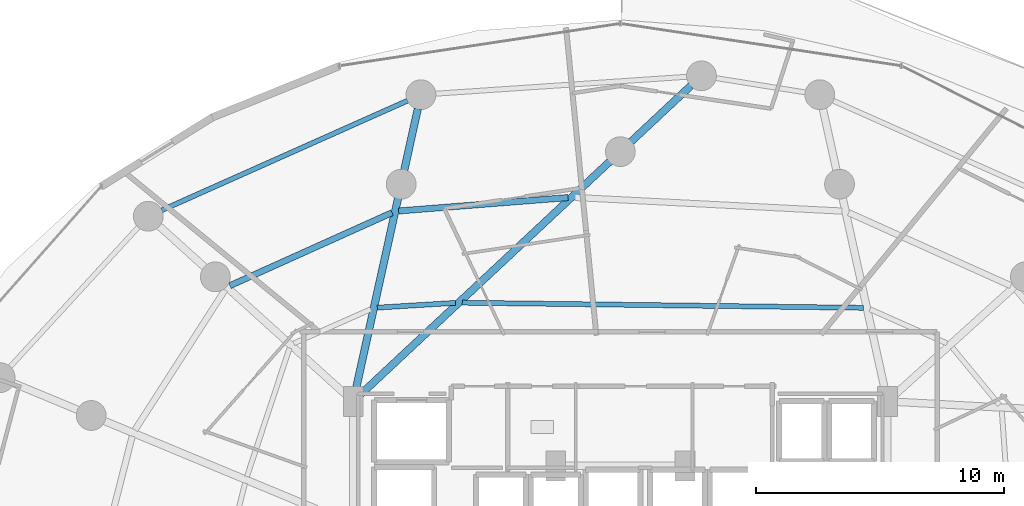
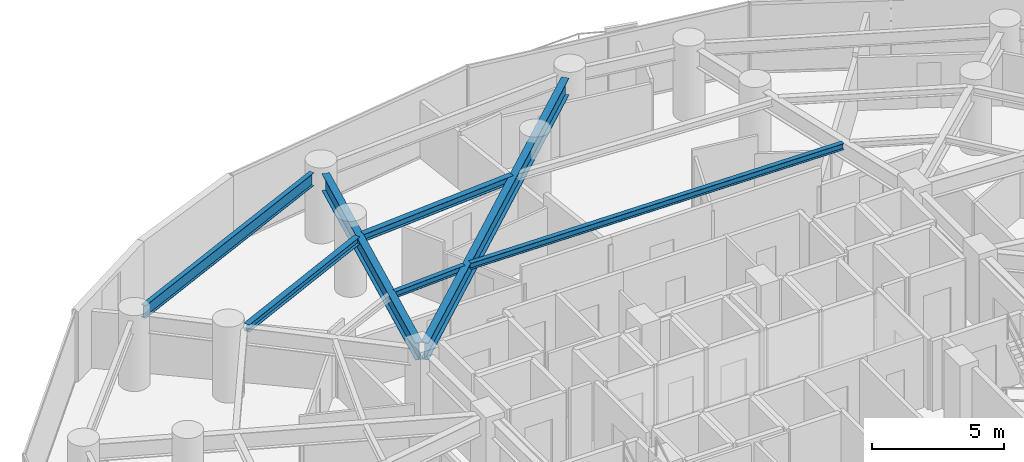
# One storey, part 17 of 30: 7 beams.
"""IFC4 building model written with IfcOpenShell, lengths in metres."""

from ifc_helpers import new_model, si_unit, direction, frame, origin, origin_2d, place, context, subcontext, project, spatial, i_section, extrude, material, material_profile, profile_set, type_object, element, save


model = new_model("IFC4")

# Units and contexts
model_context = context("Model", 3, precision=1e-05, world=origin(), true_north=direction((0.0, 1.0)))
body_context = subcontext(model_context, "Body", "Model", "MODEL_VIEW")
ifc_project = project(units=[si_unit("LENGTHUNIT", "METRE"), si_unit("AREAUNIT", "SQUARE_METRE"), si_unit("VOLUMEUNIT", "CUBIC_METRE"), si_unit("PLANEANGLEUNIT", "RADIAN"), si_unit("MASSUNIT", "GRAM", prefix="KILO")], contexts=[model_context])

# Site, building, storey
site_placement = place(None, origin())
site = spatial("IfcSite", under=ifc_project, at=site_placement, CompositionType="ELEMENT")
building_placement = place(site_placement, origin())
building = spatial("IfcBuilding", under=site, at=building_placement, Name="Vorneva Point Tower", CompositionType="ELEMENT")
storey_placement = place(building_placement, frame((0.0, 0.0, 55.5)))
storey = spatial("IfcBuildingStorey", under=building, at=storey_placement, Name="L14", CompositionType="ELEMENT", Elevation=55.5)

# Beams
ifc_material = material(Name="Steel S355", Category="steel")
ifc_material_profile_1 = material_profile(ifc_material, i_section(OverallWidth=0.300048828125, OverallDepth=0.7880859375, WebThickness=0.014404296875, FlangeThickness=0.02197265625, at=origin_2d()), Name="80Sh1")
ifc_profile_set_1 = profile_set([ifc_material_profile_1], Name="Steel S355")
beam_type_1 = type_object("IfcBeamType", Name="BM-GRD-80Sh1", PredefinedType="USERDEFINED", material=ifc_profile_set_1)
beam_1_placement = place(storey_placement, frame((40.835693359375, 45.850830078125, 2.845947265625), z_axis=(-0.730494745314, -0.682918316542, 0.0), x_axis=(0.682918316542, -0.730494745314, 0.0)))
element("IfcBeam", 1, at=beam_1_placement, inside=storey, type_object=beam_type_1, Name="L14 Radial Primary Girder 05", ObjectType="GIRDER", PredefinedType="USERDEFINED", context=body_context, shape_type="SweptSolid", body=[
    extrude(i_section(OverallWidth=0.300048828125, OverallDepth=0.7880859375, WebThickness=0.014404296875, FlangeThickness=0.02197265625, at=origin_2d()), origin(), (0.0, 0.0, 1.0), 18.258056640625),
])
beam_2_placement = place(storey_placement, frame((29.84716796875, 44.91748046875, 2.845947265625), z_axis=(-0.215521919097, -0.976499002759, 0.0), x_axis=(0.976499002759, -0.215521919097, 0.0)))
element("IfcBeam", 2, at=beam_2_placement, inside=storey, type_object=beam_type_1, Name="L14 Radial Primary Girder 06", ObjectType="GIRDER", PredefinedType="USERDEFINED", context=body_context, shape_type="SweptSolid", body=[
    extrude(i_section(OverallWidth=0.300048828125, OverallDepth=0.7880859375, WebThickness=0.014404296875, FlangeThickness=0.02197265625, at=origin_2d()), origin(), (0.0, 0.0, 1.0), 11.710693359375),
])
ifc_material_profile_2 = material_profile(ifc_material, i_section(OverallWidth=0.199951171875, OverallDepth=0.291015625, WebThickness=0.008056640625, FlangeThickness=0.010986328125, at=origin_2d()), Name="30Sh1")
ifc_profile_set_2 = profile_set([ifc_material_profile_2], Name="Steel S355")
beam_type_2 = type_object("IfcBeamType", Name="BM-SEC-30Sh1", PredefinedType="BEAM", material=ifc_profile_set_2)
beam_3_placement = place(storey_placement, frame((47.781494140625, 36.914306640625, 3.094482421875), z_axis=(-0.999917976389, 0.012807829386, 0.0), x_axis=(-0.012807829386, -0.999917976389, 0.0)))
element("IfcBeam", 3, at=beam_3_placement, inside=storey, type_object=beam_type_2, Name="L14 Secondary Floor Beam 2.04", PredefinedType="BEAM", context=body_context, shape_type="SweptSolid", body=[
    extrude(i_section(OverallWidth=0.199951171875, OverallDepth=0.291015625, WebThickness=0.008056640625, FlangeThickness=0.010986328125, at=origin_2d()), origin(), (0.0, 0.0, 1.0), 16.145263671875),
])
beam_4_placement = place(storey_placement, frame((31.36181640625, 37.1142578125, 3.094482421875), z_axis=(-0.998118371352, -0.061316529337, 0.0), x_axis=(0.061316529337, -0.998118371352, 0.0)))
element("IfcBeam", 4, at=beam_4_placement, inside=storey, type_object=beam_type_2, Name="L14 Secondary Floor Beam 2.05", PredefinedType="BEAM", context=body_context, shape_type="SweptSolid", body=[
    extrude(i_section(OverallWidth=0.199951171875, OverallDepth=0.291015625, WebThickness=0.008056640625, FlangeThickness=0.010986328125, at=origin_2d()), origin(), (0.0, 0.0, 1.0), 3.1494140625),
])
ifc_material_profile_3 = material_profile(ifc_material, i_section(OverallWidth=0.2490234375, OverallDepth=0.333984375, WebThickness=0.008056640625, FlangeThickness=0.010986328125, at=origin_2d()), Name="35Sh1")
ifc_profile_set_3 = profile_set([ifc_material_profile_3], Name="Steel S355")
beam_type_3 = type_object("IfcBeamType", Name="BM-SEC-35Sh1", PredefinedType="BEAM", material=ifc_profile_set_3)
beam_5_placement = place(storey_placement, frame((35.896484375, 41.351318359375, 3.072998046875), z_axis=(-0.996882657094, -0.07889846631, 0.0), x_axis=(0.07889846631, -0.996882657094, 0.0)))
element("IfcBeam", 5, at=beam_5_placement, inside=storey, type_object=beam_type_3, Name="L14 Secondary Floor Beam 1.05", PredefinedType="BEAM", context=body_context, shape_type="SweptSolid", body=[
    extrude(i_section(OverallWidth=0.2490234375, OverallDepth=0.333984375, WebThickness=0.008056640625, FlangeThickness=0.010986328125, at=origin_2d()), origin(), (0.0, 0.0, 1.0), 6.841552734375),
])
beam_6_placement = place(storey_placement, frame((28.812744140625, 40.743896484375, 3.072998046875), z_axis=(-0.911797659955, -0.41063977803, 0.0), x_axis=(0.41063977803, -0.911797659955, 0.0)))
element("IfcBeam", 6, at=beam_6_placement, inside=storey, type_object=beam_type_3, Name="L14 Secondary Floor Beam 1.06", PredefinedType="BEAM", context=body_context, shape_type="SweptSolid", body=[
    extrude(i_section(OverallWidth=0.2490234375, OverallDepth=0.333984375, WebThickness=0.008056640625, FlangeThickness=0.010986328125, at=origin_2d()), origin(), (0.0, 0.0, 1.0), 7.158203125),
])
ifc_material_profile_4 = material_profile(ifc_material, i_section(OverallWidth=0.198974609375, OverallDepth=0.595947265625, WebThickness=0.010009765625, FlangeThickness=0.014892578125, at=origin_2d()), Name="60B1")
ifc_profile_set_4 = profile_set([ifc_material_profile_4], Name="Steel S355")
beam_type_4 = type_object("IfcBeamType", Name="BM-SPN-60B1", PredefinedType="SPANDREL", material=ifc_profile_set_4)
beam_7_placement = place(storey_placement, frame((29.439453125, 45.25341796875, 2.94189453125), z_axis=(-0.913318750016, -0.407245455309, 0.0), x_axis=(0.407245455309, -0.913318750016, 0.0)))
element("IfcBeam", 7, at=beam_7_placement, inside=storey, type_object=beam_type_4, Name="L14 Perimeter Spandrel Ring Beam 06", PredefinedType="SPANDREL", context=body_context, shape_type="SweptSolid", body=[
    extrude(i_section(OverallWidth=0.198974609375, OverallDepth=0.595947265625, WebThickness=0.010009765625, FlangeThickness=0.014892578125, at=origin_2d()), origin(), (0.0, 0.0, 1.0), 10.842529296875),
])

save(model, "model.ifc")
